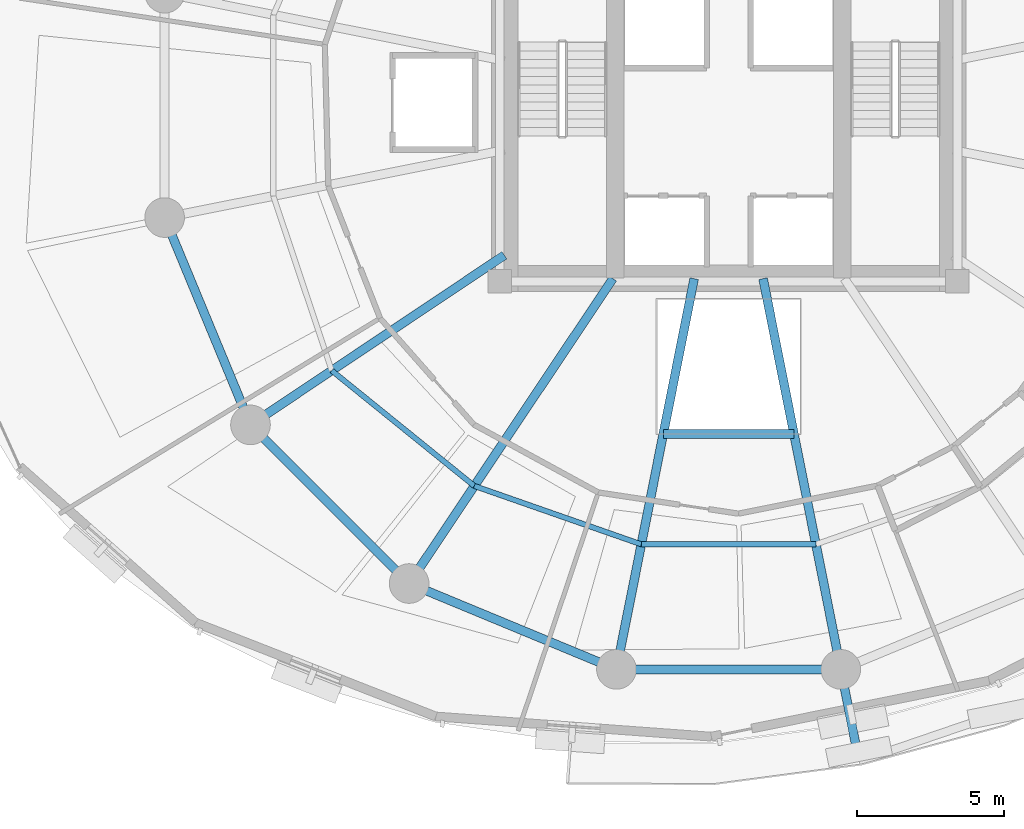
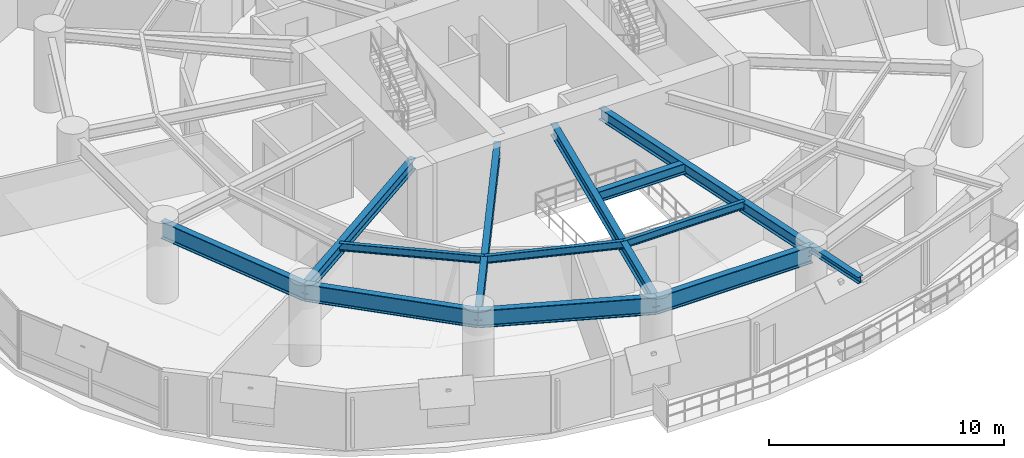
# One storey, part 3 of 17: 13 beams.
"""IFC4 building model written with IfcOpenShell, lengths in metres."""

from ifc_helpers import new_model, si_unit, direction, frame, origin, origin_2d, place, context, subcontext, project, spatial, i_section, extrude, material, material_profile, profile_set, type_object, element, save


model = new_model("IFC4")

# Units and contexts
model_context = context("Model", 3, precision=1e-05, world=origin(), true_north=direction((0.0, 1.0)))
body_context = subcontext(model_context, "Body", "Model", "MODEL_VIEW")
ifc_project = project(units=[si_unit("LENGTHUNIT", "METRE"), si_unit("AREAUNIT", "SQUARE_METRE"), si_unit("VOLUMEUNIT", "CUBIC_METRE"), si_unit("PLANEANGLEUNIT", "RADIAN"), si_unit("MASSUNIT", "GRAM", prefix="KILO"), si_unit("THERMODYNAMICTEMPERATUREUNIT", "KELVIN"), si_unit("POWERUNIT", "WATT")], contexts=[model_context])

# Site, building, storey
site_placement = place(None, origin())
site = spatial("IfcSite", under=ifc_project, at=site_placement, CompositionType="ELEMENT")
building_placement = place(site_placement, origin())
building = spatial("IfcBuilding", under=site, at=building_placement, Name="Ocrelia Relay Tower", CompositionType="ELEMENT")
storey_placement = place(building_placement, frame((0.0, 0.0, 80.39990234375)))
storey = spatial("IfcBuildingStorey", under=building, at=storey_placement, Name="L18", CompositionType="ELEMENT", Elevation=80.39990234375)

# Beams
ifc_material = material(Name="Steel S355", Category="steel")
ifc_material_profile_1 = material_profile(ifc_material, i_section(OverallWidth=0.300048828125, OverallDepth=0.330078125, WebThickness=0.009521484375, FlangeThickness=0.0166015625, FilletRadius=0.027099609375, at=origin_2d()), Name="HEA 340")
ifc_profile_set_1 = profile_set([ifc_material_profile_1], Name="Steel S355")
beam_type_1 = type_object("IfcBeamType", Name="BM-HEA340", PredefinedType="BEAM", material=ifc_profile_set_1)
beam_1_placement = place(storey_placement, frame((37.82373046875, 6.776611328125, 3.755126953125), z_axis=(0.195132387887, -0.980776912043, 0.0), x_axis=(0.980776912043, 0.195132387887, 0.0)))
element("IfcBeam", 1, at=beam_1_placement, inside=storey, type_object=beam_type_1, Name="L19 Balcony Cantilever Beam B2-1", PredefinedType="BEAM", context=body_context, shape_type="SweptSolid", body=[
    extrude(i_section(OverallWidth=0.300048828125, OverallDepth=0.330078125, WebThickness=0.009521484375, FlangeThickness=0.0166015625, FilletRadius=0.027099609375, at=origin_2d()), origin(), (0.0, 0.0, 1.0), 3.197998046875),
])
ifc_material_profile_2 = material_profile(ifc_material, i_section(OverallWidth=0.300048828125, OverallDepth=0.550048828125, WebThickness=0.014892578125, FlangeThickness=0.029052734375, FilletRadius=0.027099609375, at=origin_2d()), Name="HEB 550")
ifc_profile_set_2 = profile_set([ifc_material_profile_2], Name="Steel S355")
beam_type_2 = type_object("IfcBeamType", Name="BM-HEB550", PredefinedType="BEAM", material=ifc_profile_set_2)
beam_2_placement = place(storey_placement, frame((31.772216796875, 14.800048828125, 3.64501953125), z_axis=(1.0, 0.0, 0.0), x_axis=(0.0, 1.0, 0.0)))
element("IfcBeam", 2, at=beam_2_placement, inside=storey, type_object=beam_type_2, Name="L18 Atrium South Trimmer Beam", PredefinedType="BEAM", context=body_context, shape_type="SweptSolid", body=[
    extrude(i_section(OverallWidth=0.300048828125, OverallDepth=0.550048828125, WebThickness=0.014892578125, FlangeThickness=0.029052734375, FilletRadius=0.027099609375, at=origin_2d()), origin(), (0.0, 0.0, 1.0), 4.45556640625),
])
ifc_material_profile_3 = material_profile(ifc_material, i_section(OverallWidth=0.300048828125, OverallDepth=0.60009765625, WebThickness=0.015380859375, FlangeThickness=0.030029296875, FilletRadius=0.027099609375, at=origin_2d()), Name="HEB 600")
ifc_profile_set_3 = profile_set([ifc_material_profile_3], Name="Steel S355")
beam_type_3 = type_object("IfcBeamType", Name="BM-HEB600", PredefinedType="BEAM", material=ifc_profile_set_3)
beam_3_placement = place(storey_placement, frame((17.703125, 15.11083984375, 3.6201171875), z_axis=(0.83146868639, 0.555571618743, 0.0), x_axis=(-0.555571618743, 0.83146868639, 0.0)))
element("IfcBeam", 3, at=beam_3_placement, inside=storey, type_object=beam_type_3, Name="L18 Radial Floor Girder R10", PredefinedType="BEAM", context=body_context, shape_type="SweptSolid", body=[
    extrude(i_section(OverallWidth=0.300048828125, OverallDepth=0.60009765625, WebThickness=0.015380859375, FlangeThickness=0.030029296875, FilletRadius=0.027099609375, at=origin_2d()), origin(), (0.0, 0.0, 1.0), 10.405517578125),
])
beam_4_placement = place(storey_placement, frame((23.11083984375, 9.703125, 3.6201171875), z_axis=(0.555569912646, 0.831469826369, 0.0), x_axis=(-0.831469826369, 0.555569912646, 0.0)))
element("IfcBeam", 4, at=beam_4_placement, inside=storey, type_object=beam_type_3, Name="L18 Radial Floor Girder R11", PredefinedType="BEAM", context=body_context, shape_type="SweptSolid", body=[
    extrude(i_section(OverallWidth=0.300048828125, OverallDepth=0.60009765625, WebThickness=0.015380859375, FlangeThickness=0.030029296875, FilletRadius=0.027099609375, at=origin_2d()), origin(), (0.0, 0.0, 1.0), 12.498046875),
])
for number, where, z_axis, x_axis, name in (
    (5, (30.17626953125, 6.776611328125, 3.6201171875), (0.195089155229, 0.980785512491, 0.0), (-0.980785512491, 0.195089155229, 0.0), "L18 Radial Floor Girder R12"),
    (6, (37.82373046875, 6.776611328125, 3.6201171875), (-0.195089155229, 0.980785512491, 0.0), (-0.980785512491, -0.195089155229, 0.0), "L18 Radial Floor Girder R13"),
):
    element("IfcBeam", number, at=place(storey_placement, frame(where, z_axis=z_axis, x_axis=x_axis)), inside=storey, type_object=beam_type_3, Name=name, PredefinedType="BEAM", context=body_context, shape_type="SweptSolid", body=[
        extrude(i_section(OverallWidth=0.300048828125, OverallDepth=0.60009765625, WebThickness=0.015380859375, FlangeThickness=0.030029296875, FilletRadius=0.027099609375, at=origin_2d()), origin(), (0.0, 0.0, 1.0), 13.579345703125),
    ])
ifc_material_profile_4 = material_profile(ifc_material, i_section(OverallWidth=0.300048828125, OverallDepth=0.89990234375, WebThickness=0.0185546875, FlangeThickness=0.034912109375, FilletRadius=0.030029296875, at=origin_2d()), Name="HEB 900")
ifc_profile_set_4 = profile_set([ifc_material_profile_4], Name="Steel S355")
beam_type_4 = type_object("IfcBeamType", Name="BM-HEB900", PredefinedType="BEAM", material=ifc_profile_set_4)
beam_5_placement = place(storey_placement, frame((14.776611328125, 22.17626953125, 3.47021484375), z_axis=(0.382674154222, -0.923883375589, 0.0), x_axis=(0.923883375589, 0.382674154222, 0.0)))
element("IfcBeam", 7, at=beam_5_placement, inside=storey, type_object=beam_type_4, Name="L18 Perimeter Spandrel Beam S09", PredefinedType="BEAM", context=body_context, shape_type="SweptSolid", body=[
    extrude(i_section(OverallWidth=0.300048828125, OverallDepth=0.89990234375, WebThickness=0.0185546875, FlangeThickness=0.034912109375, FilletRadius=0.030029296875, at=origin_2d()), origin(), (0.0, 0.0, 1.0), 7.6474609375),
])
beam_6_placement = place(storey_placement, frame((17.703125, 15.11083984375, 3.47021484375), z_axis=(0.707106781187, -0.707106781187, 0.0), x_axis=(0.707106781187, 0.707106781187, 0.0)))
element("IfcBeam", 8, at=beam_6_placement, inside=storey, type_object=beam_type_4, Name="L18 Perimeter Spandrel Beam S10", PredefinedType="BEAM", context=body_context, shape_type="SweptSolid", body=[
    extrude(i_section(OverallWidth=0.300048828125, OverallDepth=0.89990234375, WebThickness=0.0185546875, FlangeThickness=0.034912109375, FilletRadius=0.030029296875, at=origin_2d()), origin(), (0.0, 0.0, 1.0), 7.647705078125),
])
for number, where, z_axis, x_axis, name in (
    (9, (23.11083984375, 9.703125, 3.47021484375), (0.923883375589, -0.382674154222, 0.0), (0.382674154222, 0.923883375589, 0.0), "L18 Perimeter Spandrel Beam S11"),
    (10, (30.17626953125, 6.776611328125, 3.47021484375), (1.0, 0.0, 0.0), (0.0, 1.0, 0.0), "L18 Perimeter Spandrel Beam S12"),
):
    element("IfcBeam", number, at=place(storey_placement, frame(where, z_axis=z_axis, x_axis=x_axis)), inside=storey, type_object=beam_type_4, Name=name, PredefinedType="BEAM", context=body_context, shape_type="SweptSolid", body=[
        extrude(i_section(OverallWidth=0.300048828125, OverallDepth=0.89990234375, WebThickness=0.0185546875, FlangeThickness=0.034912109375, FilletRadius=0.030029296875, at=origin_2d()), origin(), (0.0, 0.0, 1.0), 7.6474609375),
    ])
ifc_material_profile_5 = material_profile(ifc_material, i_section(OverallWidth=0.179931640625, OverallDepth=0.39990234375, WebThickness=0.008544921875, FlangeThickness=0.013427734375, FilletRadius=0.02099609375, at=origin_2d()), Name="IPE 400")
ifc_profile_set_5 = profile_set([ifc_material_profile_5], Name="Steel S355")
beam_type_5 = type_object("IfcBeamType", Name="BM-IPE400", PredefinedType="JOIST", material=ifc_profile_set_5)
beam_7_placement = place(storey_placement, frame((20.4716796875, 16.960693359375, 3.72021484375), z_axis=(0.77748215158, -0.628905003935, 0.0), x_axis=(0.628905003935, 0.77748215158, 0.0)))
element("IfcBeam", 11, at=beam_7_placement, inside=storey, type_object=beam_type_5, Name="L18 Secondary Floor Joist J10", PredefinedType="JOIST", context=body_context, shape_type="SweptSolid", body=[
    extrude(i_section(OverallWidth=0.179931640625, OverallDepth=0.39990234375, WebThickness=0.008544921875, FlangeThickness=0.013427734375, FilletRadius=0.02099609375, at=origin_2d()), origin(), (0.0, 0.0, 1.0), 6.25244140625),
])
beam_8_placement = place(storey_placement, frame((25.332763671875, 13.028564453125, 3.72021484375), z_axis=(0.943957429675, -0.330067221882, 0.0), x_axis=(0.330067221882, 0.943957429675, 0.0)))
element("IfcBeam", 12, at=beam_8_placement, inside=storey, type_object=beam_type_5, Name="L18 Secondary Floor Joist J11", PredefinedType="JOIST", context=body_context, shape_type="SweptSolid", body=[
    extrude(i_section(OverallWidth=0.179931640625, OverallDepth=0.39990234375, WebThickness=0.008544921875, FlangeThickness=0.013427734375, FilletRadius=0.02099609375, at=origin_2d()), origin(), (0.0, 0.0, 1.0), 6.029052734375),
])
beam_9_placement = place(storey_placement, frame((31.02392578125, 11.03857421875, 3.72021484375), z_axis=(1.0, 0.0, 0.0), x_axis=(0.0, 1.0, 0.0)))
element("IfcBeam", 13, at=beam_9_placement, inside=storey, type_object=beam_type_5, Name="L18 Secondary Floor Joist J12", PredefinedType="JOIST", context=body_context, shape_type="SweptSolid", body=[
    extrude(i_section(OverallWidth=0.179931640625, OverallDepth=0.39990234375, WebThickness=0.008544921875, FlangeThickness=0.013427734375, FilletRadius=0.02099609375, at=origin_2d()), origin(), (0.0, 0.0, 1.0), 5.9521484375),
])

save(model, "model.ifc")
